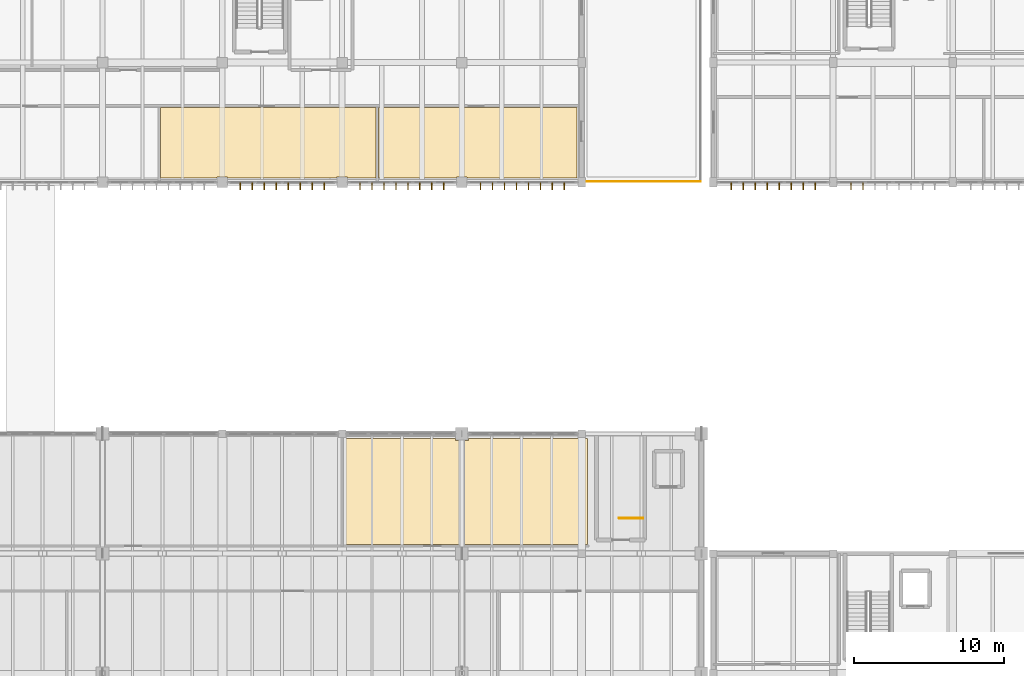
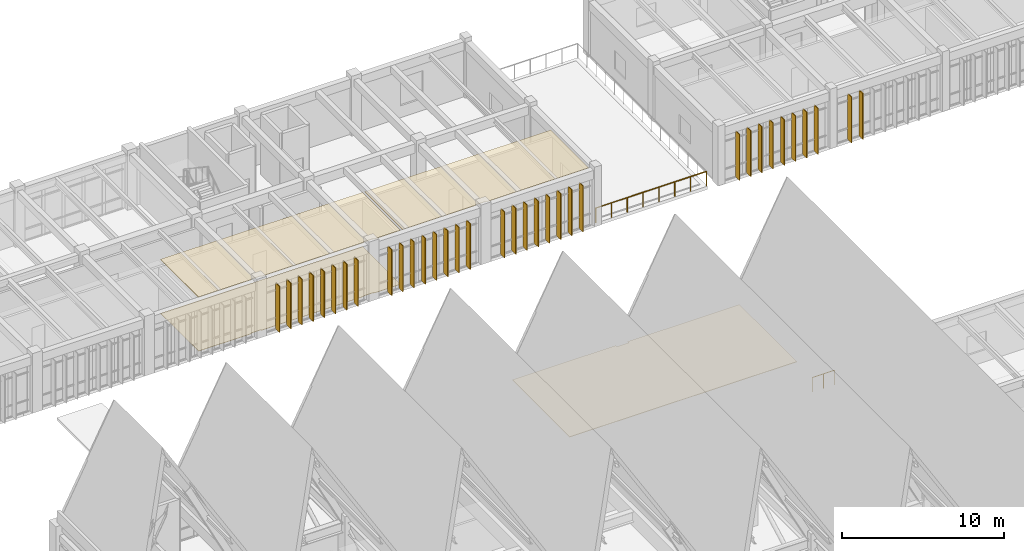
# One storey, part 65 of 72: 34 shading devices, 4 coverings, 2 railings.
"""IFC4 building model written with IfcOpenShell, lengths in metres."""

from ifc_helpers import new_model, si_unit, direction, frame, origin, origin_2d, place, context, subcontext, project, spatial, polyline, rectangle, circle, outline, extrude, material, layer, layer_set, type_object, element, save


model = new_model("IFC4")

# Units and contexts
model_context = context("Model", 3, precision=1e-05, world=origin(), true_north=direction((0.0, 1.0)))
body_context = subcontext(model_context, "Body", "Model", "MODEL_VIEW")
ifc_project = project(units=[si_unit("LENGTHUNIT", "METRE"), si_unit("AREAUNIT", "SQUARE_METRE"), si_unit("VOLUMEUNIT", "CUBIC_METRE"), si_unit("PLANEANGLEUNIT", "RADIAN"), si_unit("MASSUNIT", "GRAM", prefix="KILO")], contexts=[model_context])

# Site, building, storey
site_placement = place(None, origin())
site = spatial("IfcSite", under=ifc_project, at=site_placement, CompositionType="ELEMENT")
building_placement = place(site_placement, origin())
building = spatial("IfcBuilding", under=site, at=building_placement, Name="Tlaxcora Railside Police Headquarters", CompositionType="ELEMENT")
storey_placement = place(building_placement, frame((0.0, 0.0, 13.5)))
storey = spatial("IfcBuildingStorey", under=building, at=storey_placement, Name="L03", CompositionType="ELEMENT", Elevation=13.5)

# Coverings
ifc_material_1 = material(Name="Mineral-fibre acoustic ceiling tile")
ifc_layer_1 = layer(ifc_material_1, 0.034912109375, Name="Mineral-fibre acoustic ceiling tile")
ifc_layer_set_1 = layer_set([ifc_layer_1], Name="Mineral-fibre acoustic ceiling tile")
covering_type_1 = type_object("IfcCoveringType", Name="Acoustic Suspended Ceiling CLG-01", PredefinedType="CEILING", material=ifc_layer_set_1)
covering_1_placement = place(storey_placement, frame((0.0, 0.0, 4.06494140625)))
element("IfcCovering", 1, at=covering_1_placement, inside=storey, type_object=covering_type_1, Name="Shift On-Call Rest and Galley Suite suspended ceiling", PredefinedType="CEILING", context=body_context, shape_type="SweptSolid", body=[
    extrude(outline(polyline([(78.199951171875, 59.699951171875), (78.199951171875, 52.60009765625), (94.39990234375, 52.60009765625), (94.39990234375, 59.699951171875), (86.43505859375, 59.699951171875), (86.43505859375, 59.56494140625), (85.56494140625, 59.56494140625), (85.56494140625, 59.699951171875), (78.199951171875, 59.699951171875)])), origin(), (0.0, 0.0, 1.0), 0.03515625),
])
covering_2_placement = place(storey_placement, frame((0.0, 0.0, 4.06494140625)))
element("IfcCovering", 2, at=covering_2_placement, inside=storey, type_object=covering_type_1, Name="Cyber Incident Briefing Room suspended ceiling", PredefinedType="CEILING", context=body_context, shape_type="SweptSolid", body=[
    extrude(outline(polyline([(80.43408203125, 81.800048828125), (80.43408203125, 77.10009765625), (85.639892578125, 77.10009765625), (85.639892578125, 77.159912109375), (86.360107421875, 77.159912109375), (86.360107421875, 77.10009765625), (93.699951171875, 77.10009765625), (93.699951171875, 81.800048828125), (80.43408203125, 81.800048828125)])), origin(), (0.0, 0.0, 1.0), 0.03515625),
])
ifc_material_2 = material(Name="Heavy-duty resin and raised-access technical flooring")
ifc_layer_2 = layer(ifc_material_2, 0.02490234375, Name="Heavy-duty resin and raised-access technical flooring")
ifc_layer_set_2 = layer_set([ifc_layer_2], Name="Heavy-duty resin and raised-access technical flooring")
covering_type_2 = type_object("IfcCoveringType", Name="Epoxy Chemical-Resistant Lab Flooring FLR-02", PredefinedType="FLOORING", material=ifc_layer_set_2)
covering_3_placement = place(storey_placement, origin())
element("IfcCovering", 3, at=covering_3_placement, inside=storey, type_object=covering_type_2, Name="Telecom Warrant and Network Forensics Room technical floor finish", PredefinedType="FLOORING", context=body_context, shape_type="SweptSolid", body=[
    extrude(outline(polyline([(80.27392578125, 81.800048828125), (65.8759765625, 81.800048828125), (65.8759765625, 77.10009765625), (69.639892578125, 77.10009765625), (69.639892578125, 77.159912109375), (70.360107421875, 77.159912109375), (70.360107421875, 77.10009765625), (77.639892578125, 77.10009765625), (77.639892578125, 77.159912109375), (78.360107421875, 77.159912109375), (78.360107421875, 77.10009765625), (80.27392578125, 77.10009765625), (80.27392578125, 81.800048828125)])), origin(), (0.0, 0.0, 1.0), 0.02490234375),
])
ifc_layer_3 = layer(ifc_material_1, 0.044921875, Name="Mineral-fibre acoustic ceiling tile")
ifc_layer_set_3 = layer_set([ifc_layer_3], Name="Mineral-fibre acoustic ceiling tile")
covering_type_3 = type_object("IfcCoveringType", Name="Laboratory Hygienic Ceiling CLG-02", PredefinedType="CEILING", material=ifc_layer_set_3)
covering_4_placement = place(storey_placement, frame((0.0, 0.0, 4.054931640625)))
element("IfcCovering", 4, at=covering_4_placement, inside=storey, type_object=covering_type_3, Name="Telecom Warrant and Network Forensics Room suspended ceiling", PredefinedType="CEILING", context=body_context, shape_type="SweptSolid", body=[
    extrude(outline(polyline([(80.27392578125, 81.800048828125), (65.8759765625, 81.800048828125), (65.8759765625, 77.10009765625), (69.639892578125, 77.10009765625), (69.639892578125, 77.159912109375), (70.360107421875, 77.159912109375), (70.360107421875, 77.10009765625), (77.639892578125, 77.10009765625), (77.639892578125, 77.159912109375), (78.360107421875, 77.159912109375), (78.360107421875, 77.10009765625), (80.27392578125, 77.10009765625), (80.27392578125, 81.800048828125)])), origin(), (0.0, 0.0, 1.0), 0.045166015625),
])

# Shading devices
ifc_material_3 = material(Name="Anodised aluminium framing", Category="aluminium")
ifc_layer_4 = layer(ifc_material_3, 0.054931640625, Name="Anodised aluminium framing")
ifc_layer_set_4 = layer_set([ifc_layer_4], Name="Anodised aluminium framing")
shading_device_type_1 = type_object("IfcShadingDeviceType", Name="Solar Control Fin SF-01", PredefinedType="JALOUSIE", material=ifc_layer_set_4)
for number, where, z_axis, x_axis, name in (
    (5, (71.199951171875, 76.5400390625, 0.0400390625), (0.0, 0.0, 1.0), (0.0, -1.0, 0.0), "Vertical solar fin 323"),
    (6, (72.0, 76.5400390625, 0.0400390625), (0.0, 0.0, 1.0), (0.0, -1.0, 0.0), "Vertical solar fin 324"),
    (7, (72.800048828125, 76.5400390625, 0.0400390625), (0.0, 0.0, 1.0), (0.0, -1.0, 0.0), "Vertical solar fin 325"),
    (8, (73.60009765625, 76.5400390625, 0.0400390625), (0.0, 0.0, 1.0), (0.0, -1.0, 0.0), "Vertical solar fin 326"),
    (9, (74.39990234375, 76.5400390625, 0.0400390625), (0.0, 0.0, 1.0), (0.0, -1.0, 0.0), "Vertical solar fin 327"),
    (10, (75.199951171875, 76.5400390625, 0.0400390625), (0.0, 0.0, 1.0), (0.0, -1.0, 0.0), "Vertical solar fin 328"),
    (11, (76.0, 76.5400390625, 0.0400390625), (0.0, 0.0, 1.0), (0.0, -1.0, 0.0), "Vertical solar fin 329"),
    (12, (76.800048828125, 76.5400390625, 0.0400390625), (0.0, 0.0, 1.0), (0.0, -1.0, 0.0), "Vertical solar fin 330"),
    (13, (79.199951171875, 76.5400390625, 0.0400390625), (0.0, 0.0, 1.0), (0.0, -1.0, 0.0), "Vertical solar fin 331"),
    (14, (80.0, 76.5400390625, 0.0400390625), (0.0, 0.0, 1.0), (0.0, -1.0, 0.0), "Vertical solar fin 332"),
    (15, (80.800048828125, 76.5400390625, 0.0400390625), (0.0, 0.0, 1.0), (0.0, -1.0, 0.0), "Vertical solar fin 333"),
    (16, (81.60009765625, 76.5400390625, 0.0400390625), (0.0, 0.0, 1.0), (0.0, -1.0, 0.0), "Vertical solar fin 334"),
    (17, (82.39990234375, 76.5400390625, 0.0400390625), (0.0, 0.0, 1.0), (0.0, -1.0, 0.0), "Vertical solar fin 335"),
    (18, (83.199951171875, 76.5400390625, 0.0400390625), (0.0, 0.0, 1.0), (0.0, -1.0, 0.0), "Vertical solar fin 336"),
    (19, (84.0, 76.5400390625, 0.0400390625), (0.0, 0.0, 1.0), (0.0, -1.0, 0.0), "Vertical solar fin 337"),
    (20, (84.800048828125, 76.5400390625, 0.0400390625), (0.0, 0.0, 1.0), (0.0, -1.0, 0.0), "Vertical solar fin 338"),
    (21, (87.25, 76.5400390625, 0.0400390625), (0.0, 0.0, 1.0), (0.0, -1.0, 0.0), "Vertical solar fin 339"),
    (22, (88.050048828125, 76.5400390625, 0.0400390625), (0.0, 0.0, 1.0), (0.0, -1.0, 0.0), "Vertical solar fin 340"),
    (23, (88.85009765625, 76.5400390625, 0.0400390625), (0.0, 0.0, 1.0), (0.0, -1.0, 0.0), "Vertical solar fin 341"),
    (24, (89.64990234375, 76.5400390625, 0.0400390625), (0.0, 0.0, 1.0), (0.0, -1.0, 0.0), "Vertical solar fin 342"),
    (25, (90.449951171875, 76.5400390625, 0.0400390625), (0.0, 0.0, 1.0), (0.0, -1.0, 0.0), "Vertical solar fin 343"),
    (26, (91.25, 76.5400390625, 0.0400390625), (0.0, 0.0, 1.0), (0.0, -1.0, 0.0), "Vertical solar fin 344"),
    (27, (92.050048828125, 76.5400390625, 0.0400390625), (0.0, 0.0, 1.0), (0.0, -1.0, 0.0), "Vertical solar fin 345"),
    (28, (92.85009765625, 76.5400390625, 0.0400390625), (0.0, 0.0, 1.0), (0.0, -1.0, 0.0), "Vertical solar fin 346"),
):
    element("IfcShadingDevice", number, at=place(storey_placement, frame(where, z_axis=z_axis, x_axis=x_axis)), inside=storey, type_object=shading_device_type_1, Name=name, PredefinedType="JALOUSIE", context=body_context, shape_type="SweptSolid", body=[
        extrude(rectangle(XDim=0.47998046875, YDim=0.054931640625, at=origin_2d()), origin(), (0.0, 0.0, 1.0), 3.4599609375),
    ])
ifc_material_4 = material(Name="Bronze-anodised perforated aluminium sheet", Category="aluminium")
ifc_layer_5 = layer(ifc_material_4, 0.06494140625, Name="Bronze-anodised perforated aluminium sheet")
ifc_layer_set_5 = layer_set([ifc_layer_5], Name="Bronze-anodised perforated aluminium sheet")
shading_device_type_2 = type_object("IfcShadingDeviceType", Name="Solar Control Fin SF-02", PredefinedType="JALOUSIE", material=ifc_layer_set_5)
for number, where, z_axis, x_axis, name in (
    (29, (104.0, 76.5400390625, 0.0400390625), (0.0, 0.0, 1.0), (0.0, -1.0, 0.0), "Vertical solar fin 880"),
    (30, (104.800048828125, 76.5400390625, 0.0400390625), (0.0, 0.0, 1.0), (0.0, -1.0, 0.0), "Vertical solar fin 881"),
    (31, (105.60009765625, 76.5400390625, 0.0400390625), (0.0, 0.0, 1.0), (0.0, -1.0, 0.0), "Vertical solar fin 882"),
    (32, (106.39990234375, 76.5400390625, 0.0400390625), (0.0, 0.0, 1.0), (0.0, -1.0, 0.0), "Vertical solar fin 883"),
    (33, (107.199951171875, 76.5400390625, 0.0400390625), (0.0, 0.0, 1.0), (0.0, -1.0, 0.0), "Vertical solar fin 884"),
    (34, (108.0, 76.5400390625, 0.0400390625), (0.0, 0.0, 1.0), (0.0, -1.0, 0.0), "Vertical solar fin 885"),
    (35, (108.800048828125, 76.5400390625, 0.0400390625), (0.0, 0.0, 1.0), (0.0, -1.0, 0.0), "Vertical solar fin 886"),
    (36, (109.60009765625, 76.5400390625, 0.0400390625), (0.0, 0.0, 1.0), (0.0, -1.0, 0.0), "Vertical solar fin 887"),
    (37, (112.0, 76.5400390625, 0.0400390625), (0.0, 0.0, 1.0), (0.0, -1.0, 0.0), "Vertical solar fin 888"),
    (38, (112.800048828125, 76.5400390625, 0.0400390625), (0.0, 0.0, 1.0), (0.0, -1.0, 0.0), "Vertical solar fin 889"),
):
    element("IfcShadingDevice", number, at=place(storey_placement, frame(where, z_axis=z_axis, x_axis=x_axis)), inside=storey, type_object=shading_device_type_2, Name=name, PredefinedType="JALOUSIE", context=body_context, shape_type="SweptSolid", body=[
        extrude(rectangle(XDim=0.47998046875, YDim=0.054931640625, at=origin_2d()), origin(), (0.0, 0.0, 1.0), 3.4599609375),
    ])

# Railings
ifc_material_5 = material(Name="Steel ASTM A992 Grade 50", Category="steel")
railing_type_1 = type_object("IfcRailingType", Name="Stair Well Guard Balustrade GR-02", PredefinedType="BALUSTRADE", material=ifc_material_5)
railing_1_placement = place(storey_placement, frame((98.110107421875, 54.360107421875, 0.0)))
element("IfcRailing", 39, at=railing_1_placement, inside=storey, type_object=railing_type_1, Name="L03 ST9 top well guard 1", PredefinedType="BALUSTRADE", context=body_context, shape_type="SweptSolid", body=[
    extrude(circle(Radius=0.02392578125, at=origin_2d()), frame((0.0, 0.0, 1.09619140625), z_axis=(-1.0, 0.0, 0.0), x_axis=(0.0, -1.0, 0.0)), (0.0, 0.0, 1.0), 1.60009765625),
    extrude(circle(Radius=0.02099609375, at=origin_2d()), origin(), (0.0, 0.0, 1.0), 1.072021484375),
    extrude(circle(Radius=0.02099609375, at=origin_2d()), frame((-0.800048828125, 0.0, 0.0)), (0.0, 0.0, 1.0), 1.072021484375),
    extrude(circle(Radius=0.02099609375, at=origin_2d()), frame((-1.60009765625, 0.0, 0.0)), (0.0, 0.0, 1.0), 1.072021484375),
])
railing_type_2 = type_object("IfcRailingType", Name="Terrace Perimeter Guard Balustrade GR-01", PredefinedType="BALUSTRADE", material=ifc_material_5)
railing_2_placement = place(storey_placement, frame((94.050048828125, 76.85009765625, 0.0)))
element("IfcRailing", 40, at=railing_2_placement, inside=storey, type_object=railing_type_2, Name="TERR-V5-L03-E perimeter guard 1", PredefinedType="BALUSTRADE", context=body_context, shape_type="SweptSolid", body=[
    extrude(circle(Radius=0.02392578125, at=origin_2d()), frame((0.0, 0.0, 1.09619140625), z_axis=(1.0, 0.0, 0.0), x_axis=(0.0, 1.0, 0.0)), (0.0, 0.0, 1.0), 7.89990234375),
    extrude(circle(Radius=0.02099609375, at=origin_2d()), origin(), (0.0, 0.0, 1.0), 1.072021484375),
    extrude(circle(Radius=0.02099609375, at=origin_2d()), frame((1.128662109375, 0.0, 0.0)), (0.0, 0.0, 1.0), 1.072021484375),
    extrude(circle(Radius=0.02099609375, at=origin_2d()), frame((2.257080078125, 0.0, 0.0)), (0.0, 0.0, 1.0), 1.072021484375),
    extrude(circle(Radius=0.02099609375, at=origin_2d()), frame((3.3857421875, 0.0, 0.0)), (0.0, 0.0, 1.0), 1.072021484375),
    extrude(circle(Radius=0.02099609375, at=origin_2d()), frame((4.51416015625, 0.0, 0.0)), (0.0, 0.0, 1.0), 1.072021484375),
    extrude(circle(Radius=0.02099609375, at=origin_2d()), frame((5.642822265625, 0.0, 0.0)), (0.0, 0.0, 1.0), 1.072021484375),
    extrude(circle(Radius=0.02099609375, at=origin_2d()), frame((6.771240234375, 0.0, 0.0)), (0.0, 0.0, 1.0), 1.072021484375),
    extrude(circle(Radius=0.02099609375, at=origin_2d()), frame((7.89990234375, 0.0, 0.0)), (0.0, 0.0, 1.0), 1.072021484375),
])

save(model, "model.ifc")
